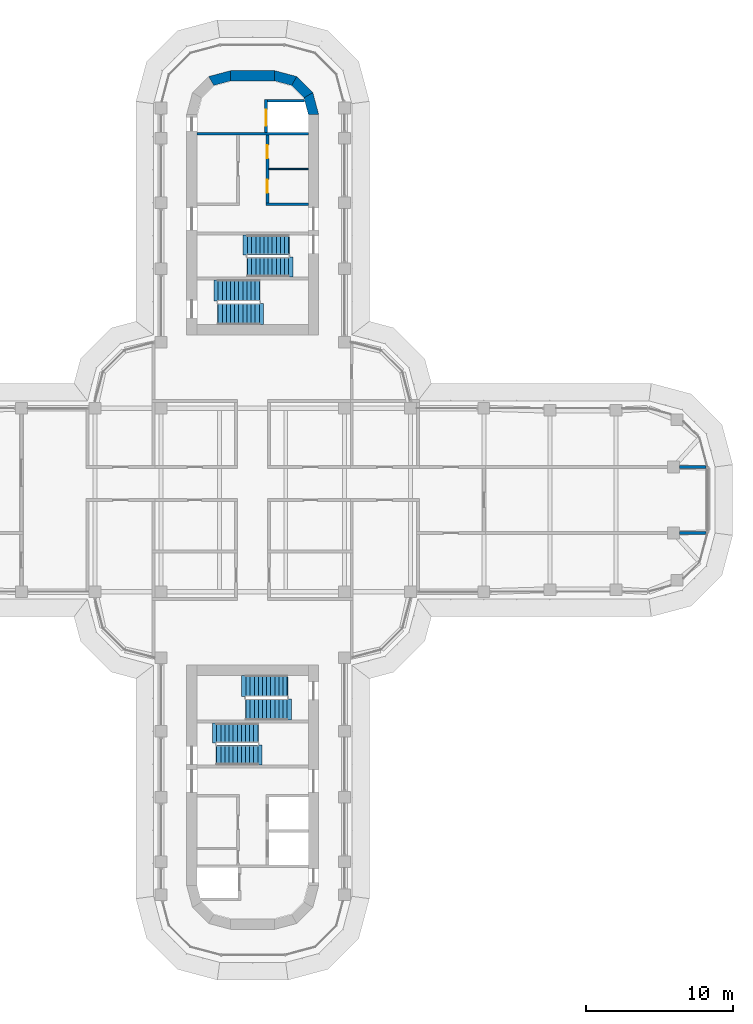
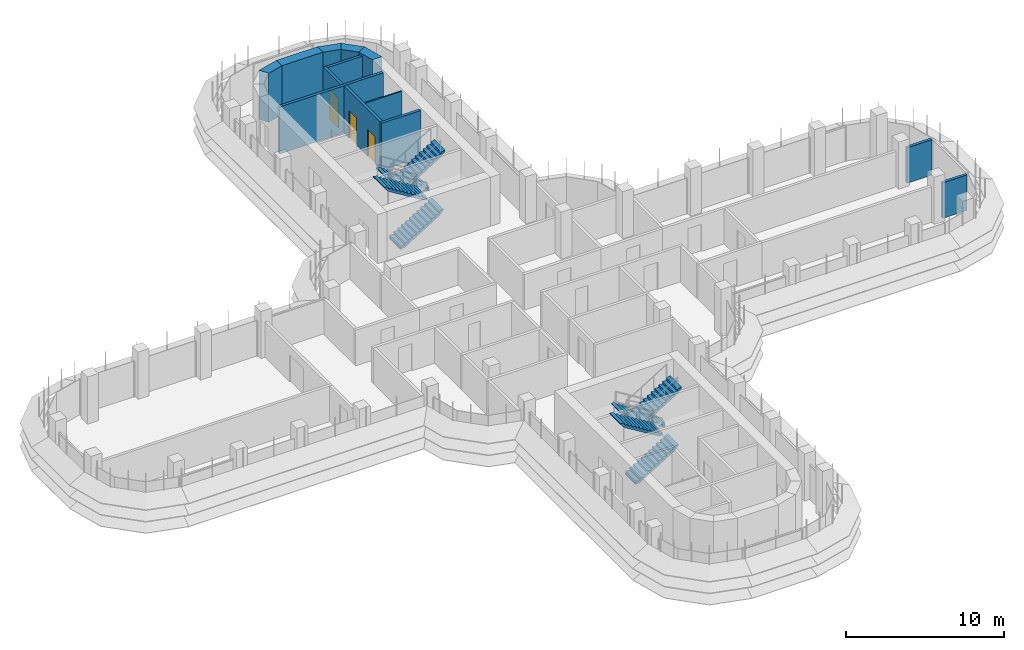
# One storey, part 15 of 19: 13 walls, 8 stair flights, 3 doors, 3 openings, 4 elements without a shape of their own.
"""IFC4 building model written with IfcOpenShell, lengths in metres."""

from ifc_helpers import new_model, si_unit, direction, frame, frame_2d, origin, place, context, subcontext, project, spatial, polyline, rectangle, outline, extrude, material, layer, layer_set, type_object, element, fill, aggregate, save


model = new_model("IFC4")

# Units and contexts
model_context = context("Model", 3, precision=1e-05, world=origin(), true_north=direction((0.0, 1.0)))
body_context = subcontext(model_context, "Body", "Model", "MODEL_VIEW")
ifc_project = project(units=[si_unit("LENGTHUNIT", "METRE"), si_unit("AREAUNIT", "SQUARE_METRE"), si_unit("VOLUMEUNIT", "CUBIC_METRE"), si_unit("PLANEANGLEUNIT", "RADIAN"), si_unit("MASSUNIT", "GRAM", prefix="KILO")], contexts=[model_context])

# Site, building, storey
site_placement = place(None, origin())
site = spatial("IfcSite", under=ifc_project, at=site_placement, CompositionType="ELEMENT")
building_placement = place(site_placement, origin())
building = spatial("IfcBuilding", under=site, at=building_placement, Name="Zarbagh Exchange Tower", CompositionType="ELEMENT")
storey_placement = place(building_placement, frame((0.0, 0.0, 179.0)))
storey = spatial("IfcBuildingStorey", under=building, at=storey_placement, Name="L43", CompositionType="ELEMENT", Elevation=179.0)

# Walls
ifc_material_1 = material(Name="Dense blockwork", Category="masonry")
ifc_layer_1 = layer(ifc_material_1, 0.10009765625)
ifc_layer_set_1 = layer_set([ifc_layer_1], Name="Core partition 100 mm blockwork")
wall_type_1 = type_object("IfcWallType", Name="Core partition 100 mm blockwork", PredefinedType="PARTITIONING", material=ifc_layer_set_1)
wall_1_placement = place(storey_placement, frame((1.10009765625, 22.550048828125, 0.0), z_axis=(0.0, 0.0, 1.0), x_axis=(1.0, 0.0, 0.0)))
element("IfcWall", 1, at=wall_1_placement, inside=storey, type_object=wall_type_1, Name="North core partition wall CUT-E-580", PredefinedType="PARTITIONING", context=body_context, shape_type="SweptSolid", body=[
    extrude(rectangle(XDim=2.699951171875, YDim=0.10009765625, at=frame_2d((1.35009765625, 0.0))), origin(), (0.0, 0.0, 1.0), 3.64990234375),
])
ifc_material_2 = material(Name="Fire-rated plasterboard partition")
ifc_layer_2 = layer(ifc_material_2, 0.199951171875)
ifc_layer_set_2 = layer_set([ifc_layer_2], Name="RATED PARTITION 200")
wall_type_2 = type_object("IfcWallType", Name="RATED PARTITION 200", PredefinedType="PARTITIONING", material=ifc_layer_set_2)
for number, where, z_axis, x_axis, name in (
    (2, (29.070068359375, 2.25, 0.0), (0.0, 0.0, 1.0), (1.0, 0.0, 0.0), "Partition W-1941"),
    (3, (29.070068359375, -2.25, 0.0), (0.0, 0.0, 1.0), (1.0, 0.0, 0.0), "Partition W-1943"),
):
    element("IfcWall", number, at=place(storey_placement, frame(where, z_axis=z_axis, x_axis=x_axis)), inside=storey, type_object=wall_type_2, Name=name, PredefinedType="PARTITIONING", context=body_context, shape_type="SweptSolid", body=[
        extrude(rectangle(XDim=1.809814453125, YDim=0.199951171875, at=frame_2d((0.90478515625, 0.0))), origin(), (0.0, 0.0, 1.0), 2.75),
    ])
ifc_material_3 = material(Name="Concrete C50/60", Category="concrete")
ifc_layer_3 = layer(ifc_material_3, 0.699951171875)
ifc_layer_set_3 = layer_set([ifc_layer_3], Name="RC core corner wall 700 C50/60")
wall_type_3 = type_object("IfcWallType", Name="RC core corner wall 700 C50/60", PredefinedType="SHEAR", material=ifc_layer_set_3)
wall_2_placement = place(storey_placement, origin())
element("IfcWall", 4, at=wall_2_placement, inside=storey, type_object=wall_type_3, Name="CW6 core N corner W", PredefinedType="SHEAR", context=body_context, shape_type="SweptSolid", body=[
    extrude(outline(polyline([(-3.0, 28.84814453125), (-1.5, 29.25), (-1.5, 28.550048828125), (-2.64990234375, 28.241943359375), (-3.0, 28.84814453125)])), origin(), (0.0, 0.0, 1.0), 3.800048828125),
])
wall_3_placement = place(storey_placement, origin())
element("IfcWall", 5, at=wall_3_placement, inside=storey, type_object=wall_type_3, Name="CW6 core N corner E", PredefinedType="SHEAR", context=body_context, shape_type="SweptSolid", body=[
    extrude(outline(polyline([(4.5, 26.25), (4.09814453125, 27.75), (3.491943359375, 27.39990234375), (3.800048828125, 26.25), (4.5, 26.25)])), origin(), (0.0, 0.0, 1.0), 3.800048828125),
])
wall_4_placement = place(storey_placement, origin())
element("IfcWall", 6, at=wall_4_placement, inside=storey, type_object=wall_type_3, Name="CW6 core N corner E", PredefinedType="SHEAR", context=body_context, shape_type="SweptSolid", body=[
    extrude(outline(polyline([(4.09814453125, 27.75), (3.0, 28.84814453125), (2.64990234375, 28.241943359375), (3.491943359375, 27.39990234375), (4.09814453125, 27.75)])), origin(), (0.0, 0.0, 1.0), 3.800048828125),
])
wall_5_placement = place(storey_placement, origin())
element("IfcWall", 7, at=wall_5_placement, inside=storey, type_object=wall_type_3, Name="CW6 core N corner E", PredefinedType="SHEAR", context=body_context, shape_type="SweptSolid", body=[
    extrude(outline(polyline([(3.0, 28.84814453125), (1.5, 29.25), (1.5, 28.550048828125), (2.64990234375, 28.241943359375), (3.0, 28.84814453125)])), origin(), (0.0, 0.0, 1.0), 3.800048828125),
])
ifc_layer_4 = layer(ifc_material_3, 0.699951171875)
ifc_layer_set_4 = layer_set([ifc_layer_4], Name="RC core wall 700 C50/60")
wall_type_4 = type_object("IfcWallType", Name="RC core wall 700 C50/60", PredefinedType="SHEAR", material=ifc_layer_set_4)
wall_6_placement = place(storey_placement, frame((-1.5, 28.89990234375, 0.0), z_axis=(0.0, 0.0, 1.0), x_axis=(1.0, 0.0, 0.0)))
element("IfcWall", 8, at=wall_6_placement, inside=storey, type_object=wall_type_4, Name="CW5 core N outer end", PredefinedType="SHEAR", context=body_context, shape_type="SweptSolid", body=[
    extrude(rectangle(XDim=3.0, YDim=0.699951171875, at=frame_2d((1.5, 0.0))), origin(), (0.0, 0.0, 1.0), 3.800048828125),
])
ifc_layer_5 = layer(ifc_material_1, 0.199951171875)
ifc_layer_set_5 = layer_set([ifc_layer_5], Name="Shaft wall 200 mm blockwork")
wall_type_5 = type_object("IfcWallType", Name="Shaft wall 200 mm blockwork", PredefinedType="PARTITIONING", material=ifc_layer_set_5)
wall_7_placement = place(storey_placement, frame((0.89990234375, 20.14990234375, 0.0), z_axis=(0.0, 0.0, 1.0), x_axis=(1.0, 0.0, 0.0)))
element("IfcWall", 9, at=wall_7_placement, inside=storey, type_object=wall_type_5, Name="North core shaft wall AB-E", PredefinedType="PARTITIONING", context=body_context, shape_type="SweptSolid", body=[
    extrude(rectangle(XDim=2.900146484375, YDim=0.199951171875, at=frame_2d((1.4501953125, 0.0))), origin(), (0.0, 0.0, 1.0), 3.64990234375),
])

# Wall, openings, doors
wall_8_placement = place(storey_placement, frame((1.0, 24.85009765625, 0.0), z_axis=(0.0, 0.0, 1.0), x_axis=(0.0, -1.0, 0.0)))
wall_8 = element("IfcWall", 10, at=wall_8_placement, inside=storey, type_object=wall_type_5, Name="North core shaft wall LW-E", PredefinedType="PARTITIONING", context=body_context, shape_type="SweptSolid", body=[
    extrude(rectangle(XDim=4.60009765625, YDim=0.199951171875, at=frame_2d((2.300048828125, 0.0))), origin(), (0.0, 0.0, 1.0), 3.64990234375),
])
opening_1_placement = place(wall_8_placement, frame((0.675048828125, 0.0, 0.0)))
opening_1 = element("IfcOpeningElement", 11, at=opening_1_placement, cuts=wall_8, Name="Opening CD3-900", PredefinedType="OPENING", context=body_context, shape_type="SweptSolid", body=[
    extrude(rectangle(XDim=0.89990234375, YDim=2.10009765625, at=frame_2d((0.449951171875, 1.050048828125))), frame((0.0, 0.10986328125, 0.0), z_axis=(0.0, -1.0, 0.0), x_axis=(1.0, 0.0, 0.0)), (0.0, 0.0, 1.0), 0.219970703125),
])
opening_2_placement = place(wall_8_placement, frame((3.02490234375, 0.0, 0.0)))
opening_2 = element("IfcOpeningElement", 12, at=opening_2_placement, cuts=wall_8, Name="Opening CD3-900", PredefinedType="OPENING", context=body_context, shape_type="SweptSolid", body=[
    extrude(rectangle(XDim=0.89990234375, YDim=2.10009765625, at=frame_2d((0.449951171875, 1.050048828125))), frame((0.0, 0.10986328125, 0.0), z_axis=(0.0, -1.0, 0.0), x_axis=(1.0, 0.0, 0.0)), (0.0, 0.0, 1.0), 0.219970703125),
])
ifc_material_4 = material(Name="Steel", Category="steel")
door_type_1 = type_object("IfcDoorType", Name="Core room door 900 x 2100", OperationType="NOTDEFINED", PredefinedType="DOOR", material=ifc_material_4)
door_1_placement = place(opening_1_placement, origin())
door_1 = element("IfcDoor", 13, at=door_1_placement, inside=storey, type_object=door_type_1, Name="North core Staff WC door RD-E-0", OperationType="SINGLE_SWING_LEFT", OverallHeight=2.10009765625, OverallWidth=0.89990234375, PredefinedType="DOOR", context=body_context, shape_type="SweptSolid", body=[
    extrude(rectangle(XDim=0.89990234375, YDim=2.10009765625, at=frame_2d((0.449951171875, 1.050048828125))), frame((0.0, 0.02490234375, 0.0), z_axis=(0.0, -1.0, 0.0), x_axis=(1.0, 0.0, 0.0)), (0.0, 0.0, 1.0), 0.050048828125),
])
fill(opening_1, door_1)
door_2_placement = place(opening_2_placement, origin())
door_2 = element("IfcDoor", 14, at=door_2_placement, inside=storey, type_object=door_type_1, Name="North core Accessible WC door RD-E-1", OperationType="SINGLE_SWING_LEFT", OverallHeight=2.10009765625, OverallWidth=0.89990234375, PredefinedType="DOOR", context=body_context, shape_type="SweptSolid", body=[
    extrude(rectangle(XDim=0.89990234375, YDim=2.10009765625, at=frame_2d((0.449951171875, 1.050048828125))), frame((0.0, 0.02490234375, 0.0), z_axis=(0.0, -1.0, 0.0), x_axis=(1.0, 0.0, 0.0)), (0.0, 0.0, 1.0), 0.050048828125),
])
fill(opening_2, door_2)

# Wall
ifc_material_5 = material(Name="Concrete C40/50", Category="concrete")
ifc_layer_6 = layer(ifc_material_5, 0.199951171875)
ifc_layer_set_6 = layer_set([ifc_layer_6], Name="Stair enclosure wall 200 mm RC C40/50")
wall_type_6 = type_object("IfcWallType", Name="Stair enclosure wall 200 mm RC C40/50", PredefinedType="SHEAR", material=ifc_layer_set_6)
wall_9_placement = place(storey_placement, frame((-3.800048828125, 24.949951171875, 0.0), z_axis=(0.0, 0.0, 1.0), x_axis=(1.0, 0.0, 0.0)))
element("IfcWall", 15, at=wall_9_placement, inside=storey, type_object=wall_type_6, Name="North core lift shaft wall FFA", PredefinedType="SHEAR", context=body_context, shape_type="SweptSolid", body=[
    extrude(rectangle(XDim=7.60009765625, YDim=0.199951171875, at=frame_2d((3.800048828125, 0.0))), origin(), (0.0, 0.0, 1.0), 3.64990234375),
])

# Wall, opening, door
wall_10_placement = place(storey_placement, frame((0.89990234375, 27.300048828125, 0.0), z_axis=(0.0, 0.0, 1.0), x_axis=(0.0, -1.0, 0.0)))
wall_10 = element("IfcWall", 16, at=wall_10_placement, inside=storey, type_object=wall_type_6, Name="North core lift shaft wall FFL", PredefinedType="SHEAR", context=body_context, shape_type="SweptSolid", body=[
    extrude(rectangle(XDim=2.25, YDim=0.199951171875, at=frame_2d((1.125, 0.0))), origin(), (0.0, 0.0, 1.0), 3.64990234375),
])
opening_3_placement = place(wall_10_placement, frame((0.699951171875, 0.0, 0.0)))
opening_3 = element("IfcOpeningElement", 17, at=opening_3_placement, cuts=wall_10, Name="Opening LD-1100", PredefinedType="OPENING", context=body_context, shape_type="SweptSolid", body=[
    extrude(rectangle(XDim=1.10009765625, YDim=2.300048828125, at=frame_2d((0.550048828125, 1.14990234375))), frame((0.0, 0.10986328125, 0.0), z_axis=(0.0, -1.0, 0.0), x_axis=(1.0, 0.0, 0.0)), (0.0, 0.0, 1.0), 0.219970703125),
])
ifc_material_6 = material(Name="Stainless steel", Category="steel")
door_type_2 = type_object("IfcDoorType", Name="Lift landing door 1100 x 2300", OperationType="NOTDEFINED", PredefinedType="DOOR", material=ifc_material_6)
door_3_placement = place(opening_3_placement, origin())
door_3 = element("IfcDoor", 18, at=door_3_placement, inside=storey, type_object=door_type_2, Name="North core lift landing door LD-F", OperationType="DOUBLE_DOOR_SLIDING", OverallHeight=2.300048828125, OverallWidth=1.10009765625, PredefinedType="DOOR", context=body_context, shape_type="SweptSolid", body=[
    extrude(rectangle(XDim=1.10009765625, YDim=2.300048828125, at=frame_2d((0.550048828125, 1.14990234375))), frame((0.0, 0.02490234375, 0.0), z_axis=(0.0, -1.0, 0.0), x_axis=(1.0, 0.0, 0.0)), (0.0, 0.0, 1.0), 0.050048828125),
])
fill(opening_3, door_3)

# Wall
wall_11_placement = place(storey_placement, origin())
element("IfcWall", 19, at=wall_11_placement, inside=storey, type_object=wall_type_6, Name="North core lift shaft wall FFX", PredefinedType="SHEAR", context=body_context, shape_type="SweptSolid", body=[
    extrude(outline(polyline([(1.0, 27.10009765625), (3.547607421875, 27.10009765625), (3.493896484375, 27.300048828125), (1.0, 27.300048828125), (1.0, 27.10009765625)])), origin(), (0.0, 0.0, 1.0), 3.64990234375),
])

# Stair, stair flights
stair_type = type_object("IfcStairType", Name="Exit stair two-flight half-turn", PredefinedType="HALF_TURN_STAIR", material=ifc_material_5)
stair_1_placement = place(storey_placement, origin())
stair_1 = element("IfcStair", 20, at=stair_1_placement, inside=storey, type_object=stair_type, Name="exit stair ST1", PredefinedType="HALF_TURN_STAIR")
stair_flight_type_1 = type_object("IfcStairFlightType", Name="Stair flight 1350 mm", PredefinedType="STRAIGHT", material=ifc_material_5)
stair_flight_1_placement = place(storey_placement, frame((2.449951171875, 17.375, 0.0), z_axis=(0.0, 0.0, 1.0), x_axis=(-1.0, 0.0, 0.0)))
stair_flight_1 = element("IfcStairFlight", 21, at=stair_flight_1_placement, type_object=stair_flight_type_1, Name="ST1 flight 1", NumberOfRisers=11, NumberOfTreads=10, PredefinedType="STRAIGHT", RiserHeight=0.172727273, TreadLength=0.28, context=body_context, shape_type="SweptSolid", body=[
    extrude(outline(polyline([(-0.050048828125, -0.050048828125), (-0.050048828125, 0.0), (0.0, 0.0), (0.0, 0.172607421875), (0.280029296875, 0.172607421875), (0.280029296875, 0.345458984375), (0.56005859375, 0.345458984375), (0.56005859375, 0.51806640625), (0.840087890625, 0.51806640625), (0.840087890625, 0.69091796875), (1.1201171875, 0.69091796875), (1.1201171875, 0.863525390625), (1.39990234375, 0.863525390625), (1.39990234375, 1.036376953125), (1.679931640625, 1.036376953125), (1.679931640625, 1.208984375), (1.9599609375, 1.208984375), (1.9599609375, 1.3818359375), (2.239990234375, 1.3818359375), (2.239990234375, 1.554443359375), (2.52001953125, 1.554443359375), (2.52001953125, 1.727294921875), (2.800048828125, 1.727294921875), (2.800048828125, 1.89990234375), (3.10009765625, 1.97998046875), (3.10009765625, 1.89990234375), (2.800048828125, 1.551025390625), (0.285400390625, 0.0), (-0.050048828125, -0.050048828125)])), frame((0.0, 0.675048828125, 0.0), z_axis=(0.0, -1.0, 0.0), x_axis=(1.0, 0.0, 0.0)), (0.0, 0.0, 1.0), 1.35009765625),
])
stair_flight_2_placement = place(storey_placement, frame((-0.35009765625, 15.875, 1.89990234375), z_axis=(0.0, 0.0, 1.0), x_axis=(1.0, 0.0, 0.0)))
stair_flight_2 = element("IfcStairFlight", 22, at=stair_flight_2_placement, type_object=stair_flight_type_1, Name="ST1 flight 2", NumberOfRisers=11, NumberOfTreads=10, PredefinedType="STRAIGHT", RiserHeight=0.172727273, TreadLength=0.28, context=body_context, shape_type="SweptSolid", body=[
    extrude(outline(polyline([(-0.050048828125, -0.050048828125), (-0.050048828125, 0.0), (0.0, 0.0), (0.0, 0.172607421875), (0.280029296875, 0.172607421875), (0.280029296875, 0.345458984375), (0.56005859375, 0.345458984375), (0.56005859375, 0.51806640625), (0.840087890625, 0.51806640625), (0.840087890625, 0.69091796875), (1.1201171875, 0.69091796875), (1.1201171875, 0.863525390625), (1.39990234375, 0.863525390625), (1.39990234375, 1.036376953125), (1.679931640625, 1.036376953125), (1.679931640625, 1.208984375), (1.9599609375, 1.208984375), (1.9599609375, 1.3818359375), (2.239990234375, 1.3818359375), (2.239990234375, 1.554443359375), (2.52001953125, 1.554443359375), (2.52001953125, 1.727294921875), (2.800048828125, 1.727294921875), (2.800048828125, 1.89990234375), (3.10009765625, 1.97998046875), (3.10009765625, 1.89990234375), (2.800048828125, 1.551025390625), (0.285400390625, 0.0), (-0.050048828125, -0.050048828125)])), frame((0.0, 0.675048828125, 0.0), z_axis=(0.0, -1.0, 0.0), x_axis=(1.0, 0.0, 0.0)), (0.0, 0.0, 1.0), 1.35009765625),
])
aggregate(stair_1, [stair_flight_1, stair_flight_2])

stair_2_placement = place(storey_placement, origin())
stair_2 = element("IfcStair", 23, at=stair_2_placement, inside=storey, type_object=stair_type, Name="exit stair ST3", PredefinedType="HALF_TURN_STAIR")
stair_flight_3_placement = place(storey_placement, frame((-2.449951171875, -17.375, 0.0), z_axis=(0.0, 0.0, 1.0), x_axis=(1.0, 0.0, 0.0)))
stair_flight_3 = element("IfcStairFlight", 24, at=stair_flight_3_placement, type_object=stair_flight_type_1, Name="ST3 flight 1", NumberOfRisers=11, NumberOfTreads=10, PredefinedType="STRAIGHT", RiserHeight=0.172727273, TreadLength=0.28, context=body_context, shape_type="SweptSolid", body=[
    extrude(outline(polyline([(-0.050048828125, -0.050048828125), (-0.050048828125, 0.0), (0.0, 0.0), (0.0, 0.172607421875), (0.280029296875, 0.172607421875), (0.280029296875, 0.345458984375), (0.56005859375, 0.345458984375), (0.56005859375, 0.51806640625), (0.840087890625, 0.51806640625), (0.840087890625, 0.69091796875), (1.1201171875, 0.69091796875), (1.1201171875, 0.863525390625), (1.39990234375, 0.863525390625), (1.39990234375, 1.036376953125), (1.679931640625, 1.036376953125), (1.679931640625, 1.208984375), (1.9599609375, 1.208984375), (1.9599609375, 1.3818359375), (2.239990234375, 1.3818359375), (2.239990234375, 1.554443359375), (2.52001953125, 1.554443359375), (2.52001953125, 1.727294921875), (2.800048828125, 1.727294921875), (2.800048828125, 1.89990234375), (3.10009765625, 1.97998046875), (3.10009765625, 1.89990234375), (2.800048828125, 1.551025390625), (0.285400390625, 0.0), (-0.050048828125, -0.050048828125)])), frame((0.0, 0.675048828125, 0.0), z_axis=(0.0, -1.0, 0.0), x_axis=(1.0, 0.0, 0.0)), (0.0, 0.0, 1.0), 1.35009765625),
])
stair_flight_4_placement = place(storey_placement, frame((0.35009765625, -15.875, 1.89990234375), z_axis=(0.0, 0.0, 1.0), x_axis=(-1.0, 0.0, 0.0)))
stair_flight_4 = element("IfcStairFlight", 25, at=stair_flight_4_placement, type_object=stair_flight_type_1, Name="ST3 flight 2", NumberOfRisers=11, NumberOfTreads=10, PredefinedType="STRAIGHT", RiserHeight=0.172727273, TreadLength=0.28, context=body_context, shape_type="SweptSolid", body=[
    extrude(outline(polyline([(-0.050048828125, -0.050048828125), (-0.050048828125, 0.0), (0.0, 0.0), (0.0, 0.172607421875), (0.280029296875, 0.172607421875), (0.280029296875, 0.345458984375), (0.56005859375, 0.345458984375), (0.56005859375, 0.51806640625), (0.840087890625, 0.51806640625), (0.840087890625, 0.69091796875), (1.1201171875, 0.69091796875), (1.1201171875, 0.863525390625), (1.39990234375, 0.863525390625), (1.39990234375, 1.036376953125), (1.679931640625, 1.036376953125), (1.679931640625, 1.208984375), (1.9599609375, 1.208984375), (1.9599609375, 1.3818359375), (2.239990234375, 1.3818359375), (2.239990234375, 1.554443359375), (2.52001953125, 1.554443359375), (2.52001953125, 1.727294921875), (2.800048828125, 1.727294921875), (2.800048828125, 1.89990234375), (3.10009765625, 1.97998046875), (3.10009765625, 1.89990234375), (2.800048828125, 1.551025390625), (0.285400390625, 0.0), (-0.050048828125, -0.050048828125)])), frame((0.0, 0.675048828125, 0.0), z_axis=(0.0, -1.0, 0.0), x_axis=(1.0, 0.0, 0.0)), (0.0, 0.0, 1.0), 1.35009765625),
])
aggregate(stair_2, [stair_flight_3, stair_flight_4])

stair_3_placement = place(storey_placement, origin())
stair_3 = element("IfcStair", 26, at=stair_3_placement, inside=storey, type_object=stair_type, Name="exit stair ST2", PredefinedType="HALF_TURN_STAIR")
stair_flight_type_2 = type_object("IfcStairFlightType", Name="Stair flight 1450 mm", PredefinedType="STRAIGHT", material=ifc_material_5)
stair_flight_5_placement = place(storey_placement, frame((-2.35009765625, 12.675048828125, 0.0), z_axis=(0.0, 0.0, 1.0), x_axis=(1.0, 0.0, 0.0)))
stair_flight_5 = element("IfcStairFlight", 27, at=stair_flight_5_placement, type_object=stair_flight_type_2, Name="ST2 flight 1", NumberOfRisers=11, NumberOfTreads=10, PredefinedType="STRAIGHT", RiserHeight=0.172727273, TreadLength=0.28, context=body_context, shape_type="SweptSolid", body=[
    extrude(outline(polyline([(-0.050048828125, -0.050048828125), (-0.050048828125, 0.0), (0.0, 0.0), (0.0, 0.172607421875), (0.280029296875, 0.172607421875), (0.280029296875, 0.345458984375), (0.56005859375, 0.345458984375), (0.56005859375, 0.51806640625), (0.840087890625, 0.51806640625), (0.840087890625, 0.69091796875), (1.1201171875, 0.69091796875), (1.1201171875, 0.863525390625), (1.39990234375, 0.863525390625), (1.39990234375, 1.036376953125), (1.679931640625, 1.036376953125), (1.679931640625, 1.208984375), (1.9599609375, 1.208984375), (1.9599609375, 1.3818359375), (2.239990234375, 1.3818359375), (2.239990234375, 1.554443359375), (2.52001953125, 1.554443359375), (2.52001953125, 1.727294921875), (2.800048828125, 1.727294921875), (2.800048828125, 1.89990234375), (3.10009765625, 1.97998046875), (3.10009765625, 1.89990234375), (2.800048828125, 1.551025390625), (0.285400390625, 0.0), (-0.050048828125, -0.050048828125)])), frame((0.0, 0.72509765625, 0.0), z_axis=(0.0, -1.0, 0.0), x_axis=(1.0, 0.0, 0.0)), (0.0, 0.0, 1.0), 1.449951171875),
])
stair_flight_6_placement = place(storey_placement, frame((0.449951171875, 14.27490234375, 1.89990234375), z_axis=(0.0, 0.0, 1.0), x_axis=(-1.0, 0.0, 0.0)))
stair_flight_6 = element("IfcStairFlight", 28, at=stair_flight_6_placement, type_object=stair_flight_type_2, Name="ST2 flight 2", NumberOfRisers=11, NumberOfTreads=10, PredefinedType="STRAIGHT", RiserHeight=0.172727273, TreadLength=0.28, context=body_context, shape_type="SweptSolid", body=[
    extrude(outline(polyline([(-0.050048828125, -0.050048828125), (-0.050048828125, 0.0), (0.0, 0.0), (0.0, 0.172607421875), (0.280029296875, 0.172607421875), (0.280029296875, 0.345458984375), (0.56005859375, 0.345458984375), (0.56005859375, 0.51806640625), (0.840087890625, 0.51806640625), (0.840087890625, 0.69091796875), (1.1201171875, 0.69091796875), (1.1201171875, 0.863525390625), (1.39990234375, 0.863525390625), (1.39990234375, 1.036376953125), (1.679931640625, 1.036376953125), (1.679931640625, 1.208984375), (1.9599609375, 1.208984375), (1.9599609375, 1.3818359375), (2.239990234375, 1.3818359375), (2.239990234375, 1.554443359375), (2.52001953125, 1.554443359375), (2.52001953125, 1.727294921875), (2.800048828125, 1.727294921875), (2.800048828125, 1.89990234375), (3.10009765625, 1.97998046875), (3.10009765625, 1.89990234375), (2.800048828125, 1.551025390625), (0.285400390625, 0.0), (-0.050048828125, -0.050048828125)])), frame((0.0, 0.72509765625, 0.0), z_axis=(0.0, -1.0, 0.0), x_axis=(1.0, 0.0, 0.0)), (0.0, 0.0, 1.0), 1.449951171875),
])
aggregate(stair_3, [stair_flight_5, stair_flight_6])

stair_4_placement = place(storey_placement, origin())
stair_4 = element("IfcStair", 29, at=stair_4_placement, inside=storey, type_object=stair_type, Name="exit stair ST4", PredefinedType="HALF_TURN_STAIR")
stair_flight_7_placement = place(storey_placement, frame((2.35009765625, -12.675048828125, 0.0), z_axis=(0.0, 0.0, 1.0), x_axis=(-1.0, 0.0, 0.0)))
stair_flight_7 = element("IfcStairFlight", 30, at=stair_flight_7_placement, type_object=stair_flight_type_2, Name="ST4 flight 1", NumberOfRisers=11, NumberOfTreads=10, PredefinedType="STRAIGHT", RiserHeight=0.172727273, TreadLength=0.28, context=body_context, shape_type="SweptSolid", body=[
    extrude(outline(polyline([(-0.050048828125, -0.050048828125), (-0.050048828125, 0.0), (0.0, 0.0), (0.0, 0.172607421875), (0.280029296875, 0.172607421875), (0.280029296875, 0.345458984375), (0.56005859375, 0.345458984375), (0.56005859375, 0.51806640625), (0.840087890625, 0.51806640625), (0.840087890625, 0.69091796875), (1.1201171875, 0.69091796875), (1.1201171875, 0.863525390625), (1.39990234375, 0.863525390625), (1.39990234375, 1.036376953125), (1.679931640625, 1.036376953125), (1.679931640625, 1.208984375), (1.9599609375, 1.208984375), (1.9599609375, 1.3818359375), (2.239990234375, 1.3818359375), (2.239990234375, 1.554443359375), (2.52001953125, 1.554443359375), (2.52001953125, 1.727294921875), (2.800048828125, 1.727294921875), (2.800048828125, 1.89990234375), (3.10009765625, 1.97998046875), (3.10009765625, 1.89990234375), (2.800048828125, 1.551025390625), (0.285400390625, 0.0), (-0.050048828125, -0.050048828125)])), frame((0.0, 0.72509765625, 0.0), z_axis=(0.0, -1.0, 0.0), x_axis=(1.0, 0.0, 0.0)), (0.0, 0.0, 1.0), 1.449951171875),
])
stair_flight_8_placement = place(storey_placement, frame((-0.449951171875, -14.27490234375, 1.89990234375), z_axis=(0.0, 0.0, 1.0), x_axis=(1.0, 0.0, 0.0)))
stair_flight_8 = element("IfcStairFlight", 31, at=stair_flight_8_placement, type_object=stair_flight_type_2, Name="ST4 flight 2", NumberOfRisers=11, NumberOfTreads=10, PredefinedType="STRAIGHT", RiserHeight=0.172727273, TreadLength=0.28, context=body_context, shape_type="SweptSolid", body=[
    extrude(outline(polyline([(-0.050048828125, -0.050048828125), (-0.050048828125, 0.0), (0.0, 0.0), (0.0, 0.172607421875), (0.280029296875, 0.172607421875), (0.280029296875, 0.345458984375), (0.56005859375, 0.345458984375), (0.56005859375, 0.51806640625), (0.840087890625, 0.51806640625), (0.840087890625, 0.69091796875), (1.1201171875, 0.69091796875), (1.1201171875, 0.863525390625), (1.39990234375, 0.863525390625), (1.39990234375, 1.036376953125), (1.679931640625, 1.036376953125), (1.679931640625, 1.208984375), (1.9599609375, 1.208984375), (1.9599609375, 1.3818359375), (2.239990234375, 1.3818359375), (2.239990234375, 1.554443359375), (2.52001953125, 1.554443359375), (2.52001953125, 1.727294921875), (2.800048828125, 1.727294921875), (2.800048828125, 1.89990234375), (3.10009765625, 1.97998046875), (3.10009765625, 1.89990234375), (2.800048828125, 1.551025390625), (0.285400390625, 0.0), (-0.050048828125, -0.050048828125)])), frame((0.0, 0.72509765625, 0.0), z_axis=(0.0, -1.0, 0.0), x_axis=(1.0, 0.0, 0.0)), (0.0, 0.0, 1.0), 1.449951171875),
])
aggregate(stair_4, [stair_flight_7, stair_flight_8])

save(model, "model.ifc")
